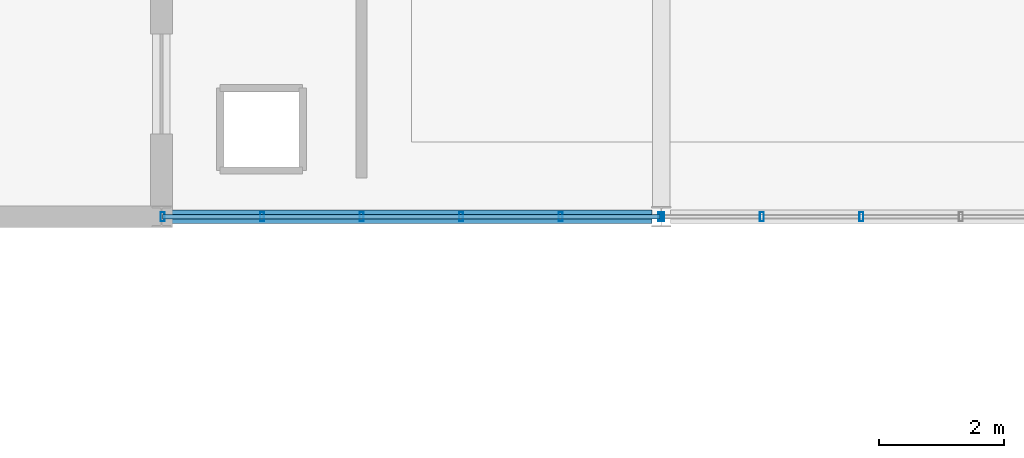
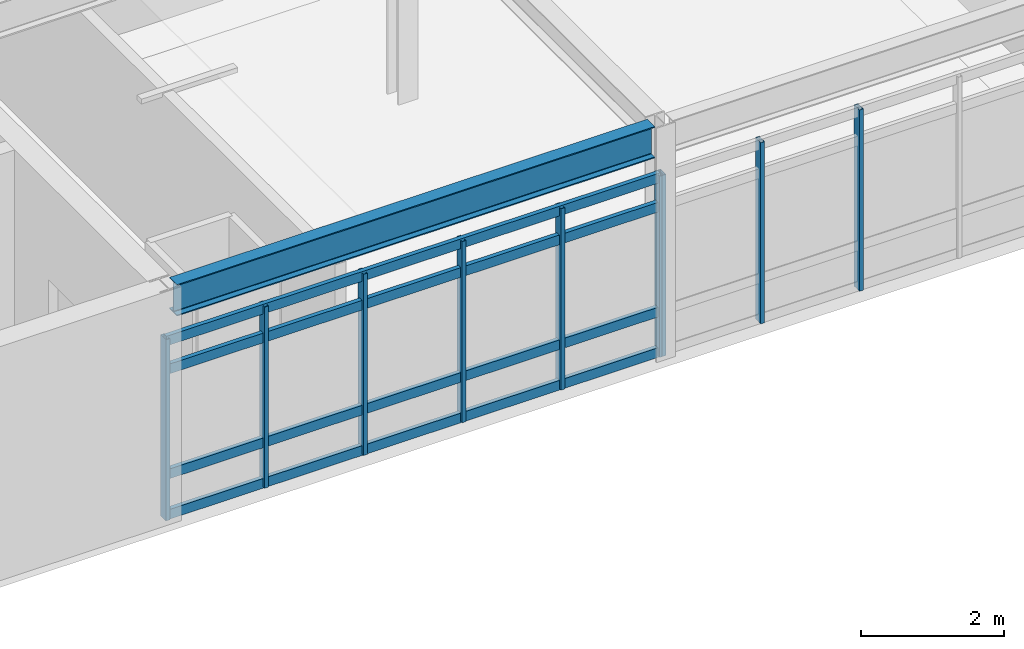
# One storey, part 49 of 85: 13 members, 1 beam, 2 elements without a shape of their own.
"""IFC4 building model written with IfcOpenShell, lengths in metres."""

from ifc_helpers import new_model, si_unit, direction, frame, origin, origin_2d, place, context, subcontext, project, spatial, hollow_rectangle, i_section, extrude, material, material_profile, profile_set, type_object, element, aggregate, save


model = new_model("IFC4")

# Units and contexts
model_context = context("Model", 3, precision=1e-05, world=origin(), true_north=direction((0.0, 1.0)))
body_context = subcontext(model_context, "Body", "Model", "MODEL_VIEW")
ifc_project = project(units=[si_unit("LENGTHUNIT", "METRE"), si_unit("AREAUNIT", "SQUARE_METRE"), si_unit("VOLUMEUNIT", "CUBIC_METRE"), si_unit("PLANEANGLEUNIT", "RADIAN"), si_unit("MASSUNIT", "GRAM", prefix="KILO")], contexts=[model_context])

# Site, building, storey
site_placement = place(None, origin())
site = spatial("IfcSite", under=ifc_project, at=site_placement, CompositionType="ELEMENT")
building_placement = place(site_placement, origin())
building = spatial("IfcBuilding", under=site, at=building_placement, Name="Zulena Civic Courthouse", CompositionType="ELEMENT")
storey_placement = place(building_placement, frame((0.0, 0.0, 25.199951171875)))
storey = spatial("IfcBuildingStorey", under=building, at=storey_placement, Name="L05", CompositionType="ELEMENT", Elevation=25.199951171875)

# Curtain wall, members
ifc_material_1 = material(Name="Double-silver low-E laminated solar-control glass", Category="glass")
curtain_wall_type = type_object("IfcCurtainWallType", Name="CW_7964x3090", PredefinedType="USERDEFINED", material=ifc_material_1)
curtain_wall_1_placement = place(storey_placement, origin())
curtain_wall_1 = element("IfcCurtainWall", 1, at=curtain_wall_1_placement, inside=storey, type_object=curtain_wall_type, Name="cw:V3:L05:3:2", ObjectType="UNITISED CURTAIN WALL", PredefinedType="USERDEFINED")
ifc_material_2 = material(Name="Bronze anodised thermally broken aluminium AA6063-T6", Category="aluminium")
ifc_material_profile_1 = material_profile(ifc_material_2, hollow_rectangle(XDim=0.06494140625, YDim=0.14990234375, WallThickness=0.00390625, at=origin_2d()), Name="CWM150X65X4")
ifc_profile_set_1 = profile_set([ifc_material_profile_1], Name="Bronze anodised thermally broken aluminium AA6063-T6")
member_type_1 = type_object("IfcMemberType", Name="CWMullion_150x65", PredefinedType="MULLION", material=ifc_profile_set_1)
member_1_placement = place(storey_placement, frame((143.20361328125, 30.800048828125, 0.0), z_axis=(0.0, 0.0, 1.0), x_axis=(1.0, 0.0, 0.0)))
member_1 = element("IfcMember", 2, at=member_1_placement, type_object=member_type_1, Name="cw:V3:L05:3:2:mull:3", PredefinedType="MULLION", context=body_context, shape_type="SweptSolid", body=[
    extrude(hollow_rectangle(XDim=0.06494140625, YDim=0.14990234375, WallThickness=0.00390625, at=origin_2d()), origin(), (0.0, 0.0, 1.0), 3.090087890625),
])
member_2_placement = place(storey_placement, frame((141.61083984375, 30.800048828125, 0.0), z_axis=(0.0, 0.0, 1.0), x_axis=(1.0, 0.0, 0.0)))
member_2 = element("IfcMember", 3, at=member_2_placement, type_object=member_type_1, Name="cw:V3:L05:3:2:mull:4", PredefinedType="MULLION", context=body_context, shape_type="SweptSolid", body=[
    extrude(hollow_rectangle(XDim=0.06494140625, YDim=0.14990234375, WallThickness=0.00390625, at=origin_2d()), origin(), (0.0, 0.0, 1.0), 3.090087890625),
])
member_3_placement = place(storey_placement, frame((140.01806640625, 30.800048828125, 0.0), z_axis=(0.0, 0.0, 1.0), x_axis=(1.0, 0.0, 0.0)))
member_3 = element("IfcMember", 4, at=member_3_placement, type_object=member_type_1, Name="cw:V3:L05:3:2:mull:5", PredefinedType="MULLION", context=body_context, shape_type="SweptSolid", body=[
    extrude(hollow_rectangle(XDim=0.06494140625, YDim=0.14990234375, WallThickness=0.00390625, at=origin_2d()), origin(), (0.0, 0.0, 1.0), 3.090087890625),
])
aggregate(curtain_wall_1, [member_1, member_2, member_3])

curtain_wall_2_placement = place(storey_placement, origin())
curtain_wall_2 = element("IfcCurtainWall", 5, at=curtain_wall_2_placement, inside=storey, type_object=curtain_wall_type, Name="cw:V3:L05:3:3", ObjectType="UNITISED CURTAIN WALL", PredefinedType="USERDEFINED")
member_4_placement = place(storey_placement, frame((139.98193359375, 30.800048828125, 0.0), z_axis=(0.0, 0.0, 1.0), x_axis=(1.0, 0.0, 0.0)))
member_4 = element("IfcMember", 6, at=member_4_placement, type_object=member_type_1, Name="cw:V3:L05:3:3:mull:0", PredefinedType="MULLION", context=body_context, shape_type="SweptSolid", body=[
    extrude(hollow_rectangle(XDim=0.06494140625, YDim=0.14990234375, WallThickness=0.00390625, at=origin_2d()), origin(), (0.0, 0.0, 1.0), 3.090087890625),
])
member_5_placement = place(storey_placement, frame((138.38916015625, 30.800048828125, 0.0), z_axis=(0.0, 0.0, 1.0), x_axis=(1.0, 0.0, 0.0)))
member_5 = element("IfcMember", 7, at=member_5_placement, type_object=member_type_1, Name="cw:V3:L05:3:3:mull:1", PredefinedType="MULLION", context=body_context, shape_type="SweptSolid", body=[
    extrude(hollow_rectangle(XDim=0.06494140625, YDim=0.14990234375, WallThickness=0.00390625, at=origin_2d()), origin(), (0.0, 0.0, 1.0), 3.090087890625),
])
member_6_placement = place(storey_placement, frame((136.79638671875, 30.800048828125, 0.0), z_axis=(0.0, 0.0, 1.0), x_axis=(1.0, 0.0, 0.0)))
member_6 = element("IfcMember", 8, at=member_6_placement, type_object=member_type_1, Name="cw:V3:L05:3:3:mull:2", PredefinedType="MULLION", context=body_context, shape_type="SweptSolid", body=[
    extrude(hollow_rectangle(XDim=0.06494140625, YDim=0.14990234375, WallThickness=0.00390625, at=origin_2d()), origin(), (0.0, 0.0, 1.0), 3.090087890625),
])
member_7_placement = place(storey_placement, frame((135.20361328125, 30.800048828125, 0.0), z_axis=(0.0, 0.0, 1.0), x_axis=(1.0, 0.0, 0.0)))
member_7 = element("IfcMember", 9, at=member_7_placement, type_object=member_type_1, Name="cw:V3:L05:3:3:mull:3", PredefinedType="MULLION", context=body_context, shape_type="SweptSolid", body=[
    extrude(hollow_rectangle(XDim=0.06494140625, YDim=0.14990234375, WallThickness=0.00390625, at=origin_2d()), origin(), (0.0, 0.0, 1.0), 3.090087890625),
])
member_8_placement = place(storey_placement, frame((133.61083984375, 30.800048828125, 0.0), z_axis=(0.0, 0.0, 1.0), x_axis=(1.0, 0.0, 0.0)))
member_8 = element("IfcMember", 10, at=member_8_placement, type_object=member_type_1, Name="cw:V3:L05:3:3:mull:4", PredefinedType="MULLION", context=body_context, shape_type="SweptSolid", body=[
    extrude(hollow_rectangle(XDim=0.06494140625, YDim=0.14990234375, WallThickness=0.00390625, at=origin_2d()), origin(), (0.0, 0.0, 1.0), 3.090087890625),
])
member_9_placement = place(storey_placement, frame((132.01806640625, 30.800048828125, 0.0), z_axis=(0.0, 0.0, 1.0), x_axis=(1.0, 0.0, 0.0)))
member_9 = element("IfcMember", 11, at=member_9_placement, type_object=member_type_1, Name="cw:V3:L05:3:3:mull:5", PredefinedType="MULLION", context=body_context, shape_type="SweptSolid", body=[
    extrude(hollow_rectangle(XDim=0.06494140625, YDim=0.14990234375, WallThickness=0.00390625, at=origin_2d()), origin(), (0.0, 0.0, 1.0), 3.090087890625),
])
ifc_material_profile_2 = material_profile(ifc_material_2, hollow_rectangle(XDim=0.070068359375, YDim=0.1650390625, WallThickness=0.00390625, at=origin_2d()), Name="CWT165X70X4")
ifc_profile_set_2 = profile_set([ifc_material_profile_2], Name="Bronze anodised thermally broken aluminium AA6063-T6")
member_type_2 = type_object("IfcMemberType", Name="CWTransom_165x70", PredefinedType="USERDEFINED", material=ifc_profile_set_2)
member_10_placement = place(storey_placement, frame((139.98193359375, 30.800048828125, 0.06005859375), z_axis=(-1.0, 0.0, 0.0), x_axis=(0.0, -1.0, 0.0)))
member_10 = element("IfcMember", 12, at=member_10_placement, type_object=member_type_2, Name="cw:V3:L05:3:3:tran:0", ObjectType="TRANSOM", PredefinedType="USERDEFINED", context=body_context, shape_type="SweptSolid", body=[
    extrude(hollow_rectangle(XDim=0.070068359375, YDim=0.1650390625, WallThickness=0.00390625, at=origin_2d()), origin(), (0.0, 0.0, 1.0), 7.9638671875),
])
member_11_placement = place(storey_placement, frame((139.98193359375, 30.800048828125, 0.75), z_axis=(-1.0, 0.0, 0.0), x_axis=(0.0, -1.0, 0.0)))
member_11 = element("IfcMember", 13, at=member_11_placement, type_object=member_type_2, Name="cw:V3:L05:3:3:tran:1", ObjectType="TRANSOM", PredefinedType="USERDEFINED", context=body_context, shape_type="SweptSolid", body=[
    extrude(hollow_rectangle(XDim=0.070068359375, YDim=0.1650390625, WallThickness=0.00390625, at=origin_2d()), origin(), (0.0, 0.0, 1.0), 7.9638671875),
])
member_12_placement = place(storey_placement, frame((139.98193359375, 30.800048828125, 2.5400390625), z_axis=(-1.0, 0.0, 0.0), x_axis=(0.0, -1.0, 0.0)))
member_12 = element("IfcMember", 14, at=member_12_placement, type_object=member_type_2, Name="cw:V3:L05:3:3:tran:2", ObjectType="TRANSOM", PredefinedType="USERDEFINED", context=body_context, shape_type="SweptSolid", body=[
    extrude(hollow_rectangle(XDim=0.070068359375, YDim=0.1650390625, WallThickness=0.00390625, at=origin_2d()), origin(), (0.0, 0.0, 1.0), 7.9638671875),
])
member_13_placement = place(storey_placement, frame((139.98193359375, 30.800048828125, 3.030029296875), z_axis=(-1.0, 0.0, 0.0), x_axis=(0.0, -1.0, 0.0)))
member_13 = element("IfcMember", 15, at=member_13_placement, type_object=member_type_2, Name="cw:V3:L05:3:3:tran:3", ObjectType="TRANSOM", PredefinedType="USERDEFINED", context=body_context, shape_type="SweptSolid", body=[
    extrude(hollow_rectangle(XDim=0.070068359375, YDim=0.1650390625, WallThickness=0.00390625, at=origin_2d()), origin(), (0.0, 0.0, 1.0), 7.9638671875),
])
aggregate(curtain_wall_2, [member_4, member_5, member_6, member_7, member_8, member_9, member_10, member_11, member_12, member_13])

# Beam
ifc_material_3 = material(Name="Steel ASTM A992 Grade 50", Category="steel")
ifc_material_profile_3 = material_profile(ifc_material_3, i_section(OverallWidth=0.2099609375, OverallDepth=0.537109375, WebThickness=0.010986328125, FlangeThickness=0.017333984375, FilletRadius=0.0126953125, at=origin_2d()), Name="W21X68")
ifc_profile_set_3 = profile_set([ifc_material_profile_3], Name="Steel ASTM A992 Grade 50")
beam_type = type_object("IfcBeamType", Name="Spandrel_W21X68", PredefinedType="SPANDREL", material=ifc_profile_set_3)
beam_placement = place(storey_placement, frame((132.14501953125, 30.800048828125, 3.721435546875), z_axis=(1.0, 0.0, 0.0), x_axis=(0.0, 1.0, 0.0)))
element("IfcBeam", 16, at=beam_placement, inside=storey, type_object=beam_type, Name="beam:X:V3:L05:30.8:132.0_140.0", PredefinedType="SPANDREL", context=body_context, shape_type="SweptSolid", body=[
    extrude(i_section(OverallWidth=0.2099609375, OverallDepth=0.537109375, WebThickness=0.010986328125, FlangeThickness=0.017333984375, FilletRadius=0.0126953125, at=origin_2d()), origin(), (0.0, 0.0, 1.0), 7.7099609375),
])

save(model, "model.ifc")
